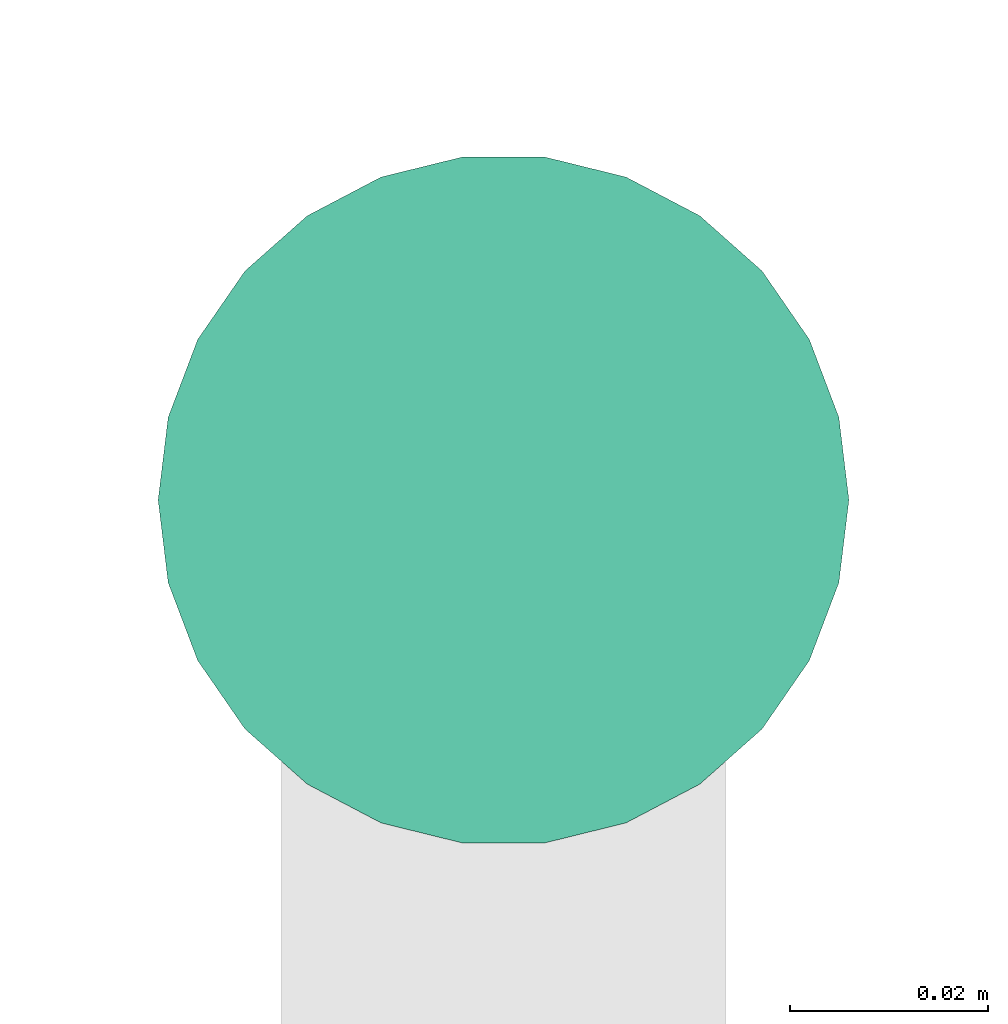
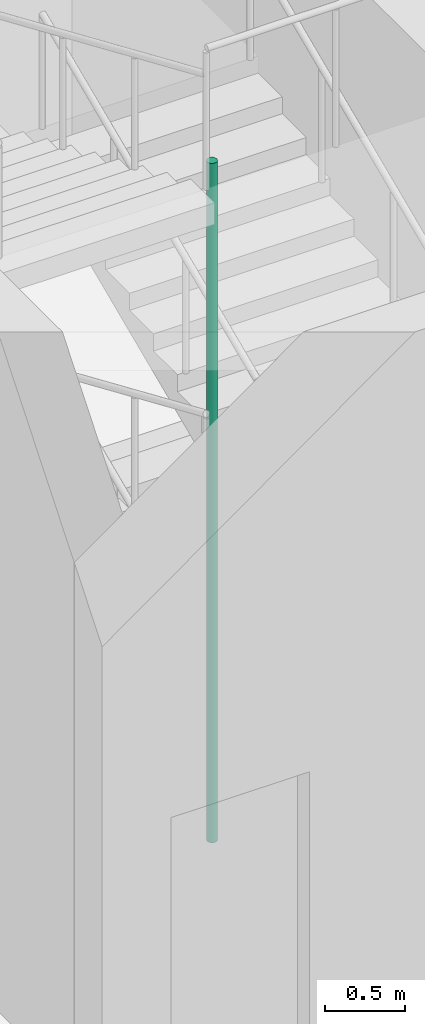
# One storey, part 25 of 31: 1 pipe segment.
"""IFC4 building model written with IfcOpenShell, lengths in metres."""

from ifc_helpers import new_model, si_unit, direction, frame, origin, origin_2d, place, context, subcontext, project, spatial, circle, extrude, element, save


model = new_model("IFC4")

# Units and contexts
model_context = context("Model", 3, precision=1e-05, world=origin(), true_north=direction((0.0, 1.0)))
body_context = subcontext(model_context, "Body", "Model", "MODEL_VIEW")
ifc_project = project(units=[si_unit("LENGTHUNIT", "METRE"), si_unit("AREAUNIT", "SQUARE_METRE"), si_unit("VOLUMEUNIT", "CUBIC_METRE"), si_unit("PLANEANGLEUNIT", "RADIAN"), si_unit("MASSUNIT", "GRAM", prefix="KILO")], contexts=[model_context])

# Site, building, storey
site_placement = place(None, origin())
site = spatial("IfcSite", under=ifc_project, at=site_placement, CompositionType="ELEMENT")
building_placement = place(site_placement, origin())
building = spatial("IfcBuilding", under=site, at=building_placement, Name="Nzadi Deep Aquarium and Research Tower", CompositionType="ELEMENT")
storey_placement = place(building_placement, frame((0.0, 0.0, 26.699951171875)))
storey = spatial("IfcBuildingStorey", under=building, at=storey_placement, Name="L04", CompositionType="ELEMENT", Elevation=26.699951171875)

# Pipe segment
pipe_segment_placement = place(storey_placement, frame((55.300048828125, 116.360107421875, 0.0), z_axis=(0.0, 0.0, 1.0), x_axis=(1.0, 0.0, 0.0)))
element("IfcPipeSegment", 1, at=pipe_segment_placement, inside=storey, Name="Dry riser ST-Z3-E L04", PredefinedType="RIGIDSEGMENT", context=body_context, shape_type="SweptSolid", body=[
    extrude(circle(Radius=0.034912109375, at=origin_2d()), origin(), (0.0, 0.0, 1.0), 5.199951171875),
])

save(model, "model.ifc")
